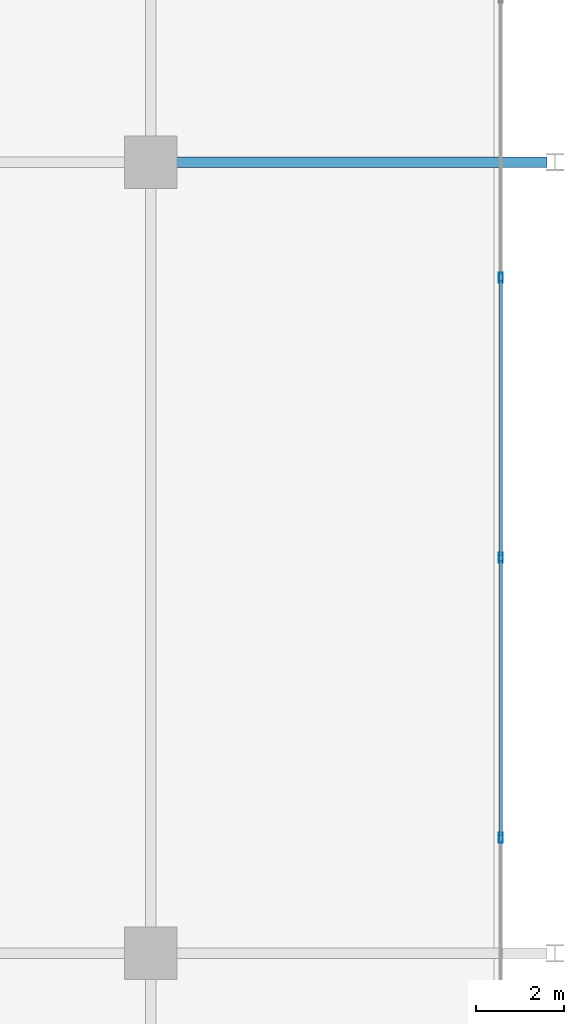
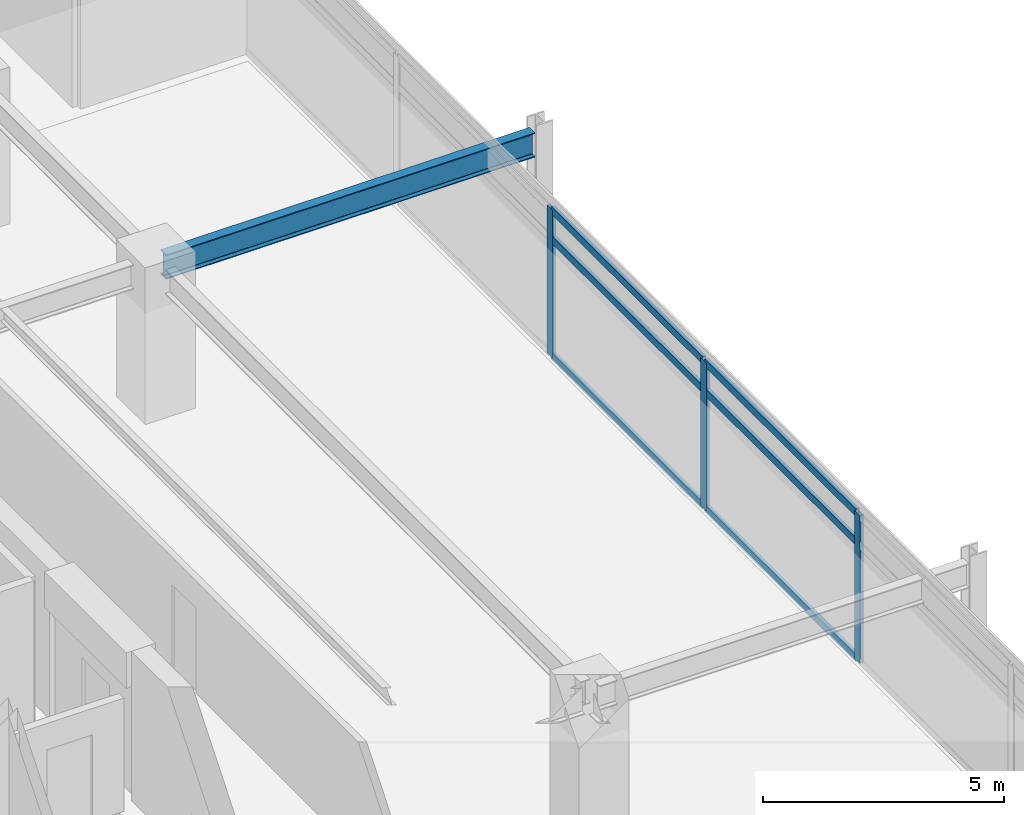
# One storey, part 9 of 21: 9 members, 1 beam, 1 element without a shape of its own.
"""IFC4 building model written with IfcOpenShell, lengths in metres."""

from ifc_helpers import new_model, si_unit, direction, frame, origin, origin_2d, place, context, subcontext, project, spatial, hollow_rectangle, i_section, extrude, material, material_profile, profile_set, type_object, element, aggregate, save


model = new_model("IFC4")

# Units and contexts
model_context = context("Model", 3, precision=1e-05, world=origin(), true_north=direction((0.0, 1.0)))
body_context = subcontext(model_context, "Body", "Model", "MODEL_VIEW")
ifc_project = project(units=[si_unit("LENGTHUNIT", "METRE"), si_unit("AREAUNIT", "SQUARE_METRE"), si_unit("VOLUMEUNIT", "CUBIC_METRE"), si_unit("PLANEANGLEUNIT", "RADIAN"), si_unit("MASSUNIT", "GRAM", prefix="KILO")], contexts=[model_context])

# Site, building, storey
site_placement = place(None, origin())
site = spatial("IfcSite", under=ifc_project, at=site_placement, CompositionType="ELEMENT")
building_placement = place(site_placement, origin())
building = spatial("IfcBuilding", under=site, at=building_placement, Name="Kovane Verandah Tower", CompositionType="ELEMENT")
storey_placement = place(building_placement, frame((0.0, 0.0, 247.199951171875)))
storey = spatial("IfcBuildingStorey", under=building, at=storey_placement, Name="L57", CompositionType="ELEMENT", Elevation=247.199951171875)

# Beam
ifc_material_1 = material(Name="Steel S355", Category="steel")
ifc_material_profile_1 = material_profile(ifc_material_1, i_section(OverallWidth=0.230224609375, OverallDepth=0.6171875, WebThickness=0.01318359375, FlangeThickness=0.022216796875, FilletRadius=0.0126953125, at=origin_2d()), Name="UB610x229x140")
ifc_profile_set_1 = profile_set([ifc_material_profile_1], Name="Steel S355")
beam_type = type_object("IfcBeamType", Name="BM-UB610x140", PredefinedType="BEAM", material=ifc_profile_set_1)
beam_placement = place(storey_placement, frame((58.580078125, 36.5, 3.451416015625), z_axis=(1.0, 0.0, 0.0), x_axis=(0.0, 1.0, 0.0)))
element("IfcBeam", 1, at=beam_placement, inside=storey, type_object=beam_type, Name="L57 Primary Tower Girder G-VE2", PredefinedType="BEAM", context=body_context, shape_type="SweptSolid", body=[
    extrude(i_section(OverallWidth=0.230224609375, OverallDepth=0.6171875, WebThickness=0.01318359375, FlangeThickness=0.022216796875, FilletRadius=0.0126953125, at=origin_2d()), origin(), (0.0, 0.0, 1.0), 8.83984375),
])

# Curtain wall, members
ifc_material_2 = material(Name="Champagne Anodised Aluminium Frame with Low-E Clear Laminated Glass", Category="aluminium")
curtain_wall_type = type_object("IfcCurtainWallType", Name="CW-SYS-05-HIGH", PredefinedType="NOTDEFINED", material=ifc_material_2)
curtain_wall_placement = place(storey_placement, origin())
curtain_wall = element("IfcCurtainWall", 2, at=curtain_wall_placement, inside=storey, type_object=curtain_wall_type, Name="L57 E Unitised Curtain Wall", PredefinedType="NOTDEFINED")
ifc_material_3 = material(Name="Champagne Anodised Aluminium 6063-T6", Category="aluminium")
ifc_material_profile_2 = material_profile(ifc_material_3, hollow_rectangle(XDim=0.0849609375, YDim=0.22998046875, WallThickness=0.00390625, at=origin_2d()), Name="AL85x230x4")
ifc_profile_set_2 = profile_set([ifc_material_profile_2], Name="Champagne Anodised Aluminium 6063-T6")
member_type_1 = type_object("IfcMemberType", Name="CW-MUL-85x230", PredefinedType="MULLION", material=ifc_profile_set_2)
member_1_placement = place(storey_placement, frame((66.366455078125, 21.127197265625, 0.02001953125), z_axis=(0.0, 0.0, 1.0), x_axis=(1.0, 0.0, 0.0)))
member_1 = element("IfcMember", 3, at=member_1_placement, type_object=member_type_1, Name="L57 E Unitised Curtain Wall Mullion 3", PredefinedType="MULLION", context=body_context, shape_type="SweptSolid", body=[
    extrude(hollow_rectangle(XDim=0.0849609375, YDim=0.22998046875, WallThickness=0.00390625, at=origin_2d()), origin(), (0.0, 0.0, 1.0), 3.7451171875),
])
member_2_placement = place(storey_placement, frame((66.366455078125, 27.5, 0.02001953125), z_axis=(0.0, 0.0, 1.0), x_axis=(1.0, 0.0, 0.0)))
member_2 = element("IfcMember", 4, at=member_2_placement, type_object=member_type_1, Name="L57 E Unitised Curtain Wall Mullion 4", PredefinedType="MULLION", context=body_context, shape_type="SweptSolid", body=[
    extrude(hollow_rectangle(XDim=0.0849609375, YDim=0.22998046875, WallThickness=0.00390625, at=origin_2d()), origin(), (0.0, 0.0, 1.0), 3.7451171875),
])
member_3_placement = place(storey_placement, frame((66.366455078125, 33.872802734375, 0.02001953125), z_axis=(0.0, 0.0, 1.0), x_axis=(1.0, 0.0, 0.0)))
member_3 = element("IfcMember", 5, at=member_3_placement, type_object=member_type_1, Name="L57 E Unitised Curtain Wall Mullion 5", PredefinedType="MULLION", context=body_context, shape_type="SweptSolid", body=[
    extrude(hollow_rectangle(XDim=0.0849609375, YDim=0.22998046875, WallThickness=0.00390625, at=origin_2d()), origin(), (0.0, 0.0, 1.0), 3.7451171875),
])
ifc_material_profile_3 = material_profile(ifc_material_3, hollow_rectangle(XDim=0.0849609375, YDim=0.18994140625, WallThickness=0.00390625, at=origin_2d()), Name="AL85x190x4")
ifc_profile_set_3 = profile_set([ifc_material_profile_3], Name="Champagne Anodised Aluminium 6063-T6")
member_type_2 = type_object("IfcMemberType", Name="CW-TRN-85x190", PredefinedType="USERDEFINED", material=ifc_profile_set_3)
member_4_placement = place(storey_placement, frame((66.366455078125, 21.17724609375, 0.050048828125), z_axis=(0.0, 1.0, 0.0), x_axis=(-1.0, 0.0, 0.0)))
member_4 = element("IfcMember", 6, at=member_4_placement, type_object=member_type_2, Name="L57 E Unitised Curtain Wall Transom TB Bay 3", ObjectType="TRANSOM", PredefinedType="USERDEFINED", context=body_context, shape_type="SweptSolid", body=[
    extrude(hollow_rectangle(XDim=0.0849609375, YDim=0.18994140625, WallThickness=0.00390625, at=origin_2d()), origin(), (0.0, 0.0, 1.0), 6.272705078125),
])
member_5_placement = place(storey_placement, frame((66.366455078125, 21.17724609375, 3.005126953125), z_axis=(0.0, 1.0, 0.0), x_axis=(-1.0, 0.0, 0.0)))
member_5 = element("IfcMember", 7, at=member_5_placement, type_object=member_type_2, Name="L57 E Unitised Curtain Wall Transom TM Bay 3", ObjectType="TRANSOM", PredefinedType="USERDEFINED", context=body_context, shape_type="SweptSolid", body=[
    extrude(hollow_rectangle(XDim=0.0849609375, YDim=0.18994140625, WallThickness=0.00390625, at=origin_2d()), origin(), (0.0, 0.0, 1.0), 6.272705078125),
])
member_6_placement = place(storey_placement, frame((66.366455078125, 21.17724609375, 3.735107421875), z_axis=(0.0, 1.0, 0.0), x_axis=(-1.0, 0.0, 0.0)))
member_6 = element("IfcMember", 8, at=member_6_placement, type_object=member_type_2, Name="L57 E Unitised Curtain Wall Transom TT Bay 3", ObjectType="TRANSOM", PredefinedType="USERDEFINED", context=body_context, shape_type="SweptSolid", body=[
    extrude(hollow_rectangle(XDim=0.0849609375, YDim=0.18994140625, WallThickness=0.00390625, at=origin_2d()), origin(), (0.0, 0.0, 1.0), 6.272705078125),
])
member_7_placement = place(storey_placement, frame((66.366455078125, 27.550048828125, 0.050048828125), z_axis=(0.0, 1.0, 0.0), x_axis=(-1.0, 0.0, 0.0)))
member_7 = element("IfcMember", 9, at=member_7_placement, type_object=member_type_2, Name="L57 E Unitised Curtain Wall Transom TB Bay 4", ObjectType="TRANSOM", PredefinedType="USERDEFINED", context=body_context, shape_type="SweptSolid", body=[
    extrude(hollow_rectangle(XDim=0.0849609375, YDim=0.18994140625, WallThickness=0.00390625, at=origin_2d()), origin(), (0.0, 0.0, 1.0), 6.272705078125),
])
member_8_placement = place(storey_placement, frame((66.366455078125, 27.550048828125, 3.005126953125), z_axis=(0.0, 1.0, 0.0), x_axis=(-1.0, 0.0, 0.0)))
member_8 = element("IfcMember", 10, at=member_8_placement, type_object=member_type_2, Name="L57 E Unitised Curtain Wall Transom TM Bay 4", ObjectType="TRANSOM", PredefinedType="USERDEFINED", context=body_context, shape_type="SweptSolid", body=[
    extrude(hollow_rectangle(XDim=0.0849609375, YDim=0.18994140625, WallThickness=0.00390625, at=origin_2d()), origin(), (0.0, 0.0, 1.0), 6.272705078125),
])
member_9_placement = place(storey_placement, frame((66.366455078125, 27.550048828125, 3.735107421875), z_axis=(0.0, 1.0, 0.0), x_axis=(-1.0, 0.0, 0.0)))
member_9 = element("IfcMember", 11, at=member_9_placement, type_object=member_type_2, Name="L57 E Unitised Curtain Wall Transom TT Bay 4", ObjectType="TRANSOM", PredefinedType="USERDEFINED", context=body_context, shape_type="SweptSolid", body=[
    extrude(hollow_rectangle(XDim=0.0849609375, YDim=0.18994140625, WallThickness=0.00390625, at=origin_2d()), origin(), (0.0, 0.0, 1.0), 6.272705078125),
])
aggregate(curtain_wall, [member_1, member_2, member_3, member_4, member_5, member_6, member_7, member_8, member_9])

save(model, "model.ifc")
